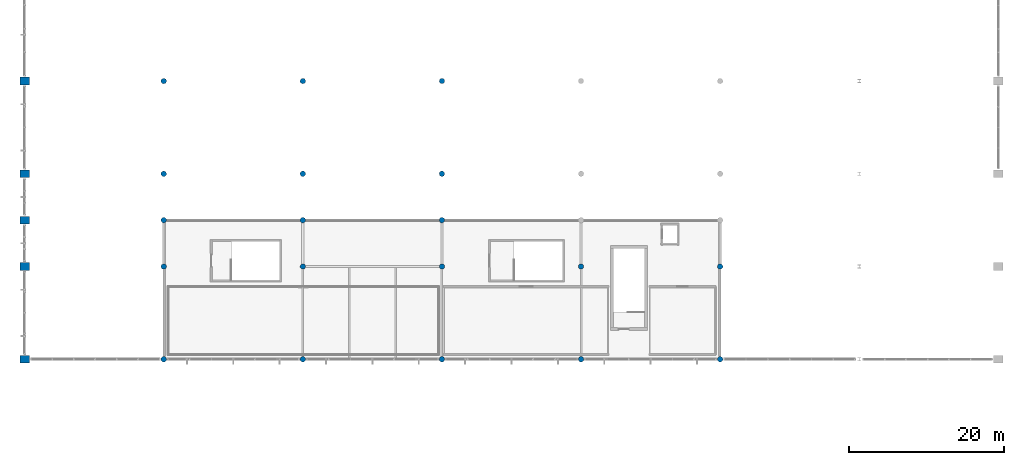
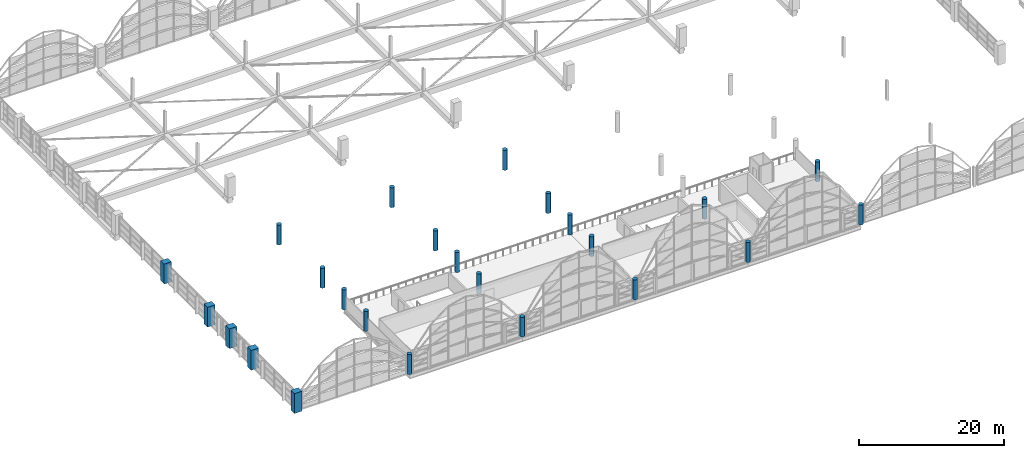
# One storey, part 1 of 116: 24 columns.
"""IFC4 building model written with IfcOpenShell, lengths in metres."""

from ifc_helpers import new_model, si_unit, direction, frame, origin, origin_2d, place, context, subcontext, project, spatial, rectangle, circle, extrude, material, material_profile, profile_set, type_object, element, save


model = new_model("IFC4")

# Units and contexts
model_context = context("Model", 3, precision=1e-05, world=origin(), true_north=direction((0.0, 1.0)))
body_context = subcontext(model_context, "Body", "Model", "MODEL_VIEW")
ifc_project = project(units=[si_unit("LENGTHUNIT", "METRE"), si_unit("AREAUNIT", "SQUARE_METRE"), si_unit("VOLUMEUNIT", "CUBIC_METRE"), si_unit("PLANEANGLEUNIT", "RADIAN"), si_unit("MASSUNIT", "GRAM", prefix="KILO")], contexts=[model_context])

# Site, building, storey
site_placement = place(None, origin())
site = spatial("IfcSite", under=ifc_project, at=site_placement, CompositionType="ELEMENT")
building_placement = place(site_placement, origin())
building = spatial("IfcBuilding", under=site, at=building_placement, Name="Chuanluo Vaults Station", CompositionType="ELEMENT")
storey_placement = place(building_placement, frame((0.0, 0.0, 10.800048828125)))
storey = spatial("IfcBuildingStorey", under=building, at=storey_placement, Name="L02", CompositionType="ELEMENT", Elevation=10.800048828125)

# Columns
ifc_material_1 = material(Name="Concrete C40", Category="concrete")
ifc_material_profile_1 = material_profile(ifc_material_1, circle(Radius=0.35009765625, at=origin_2d()))
ifc_profile_set_1 = profile_set([ifc_material_profile_1], Name="Concrete C40")
column_type_1 = type_object("IfcColumnType", Name="COL-CIR-700", PredefinedType="COLUMN", material=ifc_profile_set_1)
for number, where, z_axis, x_axis, name in (
    (1, (18.0, 18.0, 0.0), (0.0, 0.0, 1.0), (1.0, 0.0, 0.0), "Column L02-017"),
    (2, (18.0, 30.0, 0.0), (0.0, 0.0, 1.0), (1.0, 0.0, 0.0), "Column L02-018"),
    (3, (18.0, 36.0, 0.0), (0.0, 0.0, 1.0), (1.0, 0.0, 0.0), "Column L02-019"),
    (4, (18.0, 42.0, 0.0), (0.0, 0.0, 1.0), (1.0, 0.0, 0.0), "Column L02-020"),
    (5, (18.0, 54.0, 0.0), (0.0, 0.0, 1.0), (1.0, 0.0, 0.0), "Column L02-021"),
    (6, (36.0, 18.0, 0.0), (0.0, 0.0, 1.0), (1.0, 0.0, 0.0), "Column L02-026"),
    (7, (36.0, 30.0, 0.0), (0.0, 0.0, 1.0), (1.0, 0.0, 0.0), "Column L02-027"),
    (8, (36.0, 36.0, 0.0), (0.0, 0.0, 1.0), (1.0, 0.0, 0.0), "Column L02-028"),
    (9, (36.0, 42.0, 0.0), (0.0, 0.0, 1.0), (1.0, 0.0, 0.0), "Column L02-029"),
    (10, (36.0, 54.0, 0.0), (0.0, 0.0, 1.0), (1.0, 0.0, 0.0), "Column L02-030"),
    (11, (54.0, 18.0, 0.0), (0.0, 0.0, 1.0), (1.0, 0.0, 0.0), "Column L02-035"),
    (12, (54.0, 30.0, 0.0), (0.0, 0.0, 1.0), (1.0, 0.0, 0.0), "Column L02-036"),
    (13, (54.0, 36.0, 0.0), (0.0, 0.0, 1.0), (1.0, 0.0, 0.0), "Column L02-037"),
    (14, (54.0, 42.0, 0.0), (0.0, 0.0, 1.0), (1.0, 0.0, 0.0), "Column L02-038"),
    (15, (54.0, 54.0, 0.0), (0.0, 0.0, 1.0), (1.0, 0.0, 0.0), "Column L02-039"),
    (16, (72.0, 18.0, 0.0), (0.0, 0.0, 1.0), (1.0, 0.0, 0.0), "Column L02-044"),
    (17, (72.0, 30.0, 0.0), (0.0, 0.0, 1.0), (1.0, 0.0, 0.0), "Column L02-045"),
    (18, (90.0, 18.0, 0.0), (0.0, 0.0, 1.0), (1.0, 0.0, 0.0), "Column L02-053"),
    (19, (90.0, 30.0, 0.0), (0.0, 0.0, 1.0), (1.0, 0.0, 0.0), "Column L02-054"),
):
    element("IfcColumn", number, at=place(storey_placement, frame(where, z_axis=z_axis, x_axis=x_axis)), inside=storey, type_object=column_type_1, Name=name, PredefinedType="COLUMN", context=body_context, shape_type="SweptSolid", body=[
        extrude(circle(Radius=0.35009765625, at=origin_2d()), origin(), (0.0, 0.0, 1.0), 3.349853515625),
    ])
ifc_material_2 = material(Name="Concrete C50", Category="concrete")
ifc_material_profile_2 = material_profile(ifc_material_2, rectangle(XDim=1.199951171875, YDim=1.0, at=origin_2d()))
ifc_profile_set_2 = profile_set([ifc_material_profile_2], Name="Concrete C50")
column_type_2 = type_object("IfcColumnType", Name="COL-SRC-1200x1000", PredefinedType="COLUMN", material=ifc_profile_set_2)
for number, where, z_axis, x_axis, name in (
    (20, (0.0, 18.0, 0.0), (0.0, 0.0, 1.0), (1.0, 0.0, 0.0), "Column L02-003"),
    (21, (0.0, 30.0, 0.0), (0.0, 0.0, 1.0), (1.0, 0.0, 0.0), "Column L02-004"),
    (22, (0.0, 36.0, 0.0), (0.0, 0.0, 1.0), (1.0, 0.0, 0.0), "Column L02-005"),
    (23, (0.0, 42.0, 0.0), (0.0, 0.0, 1.0), (1.0, 0.0, 0.0), "Column L02-006"),
    (24, (0.0, 54.0, 0.0), (0.0, 0.0, 1.0), (1.0, 0.0, 0.0), "Column L02-007"),
):
    element("IfcColumn", number, at=place(storey_placement, frame(where, z_axis=z_axis, x_axis=x_axis)), inside=storey, type_object=column_type_2, Name=name, PredefinedType="COLUMN", context=body_context, shape_type="SweptSolid", body=[
        extrude(rectangle(XDim=1.199951171875, YDim=1.0, at=origin_2d()), origin(), (0.0, 0.0, 1.0), 3.349853515625),
    ])

save(model, "model.ifc")
